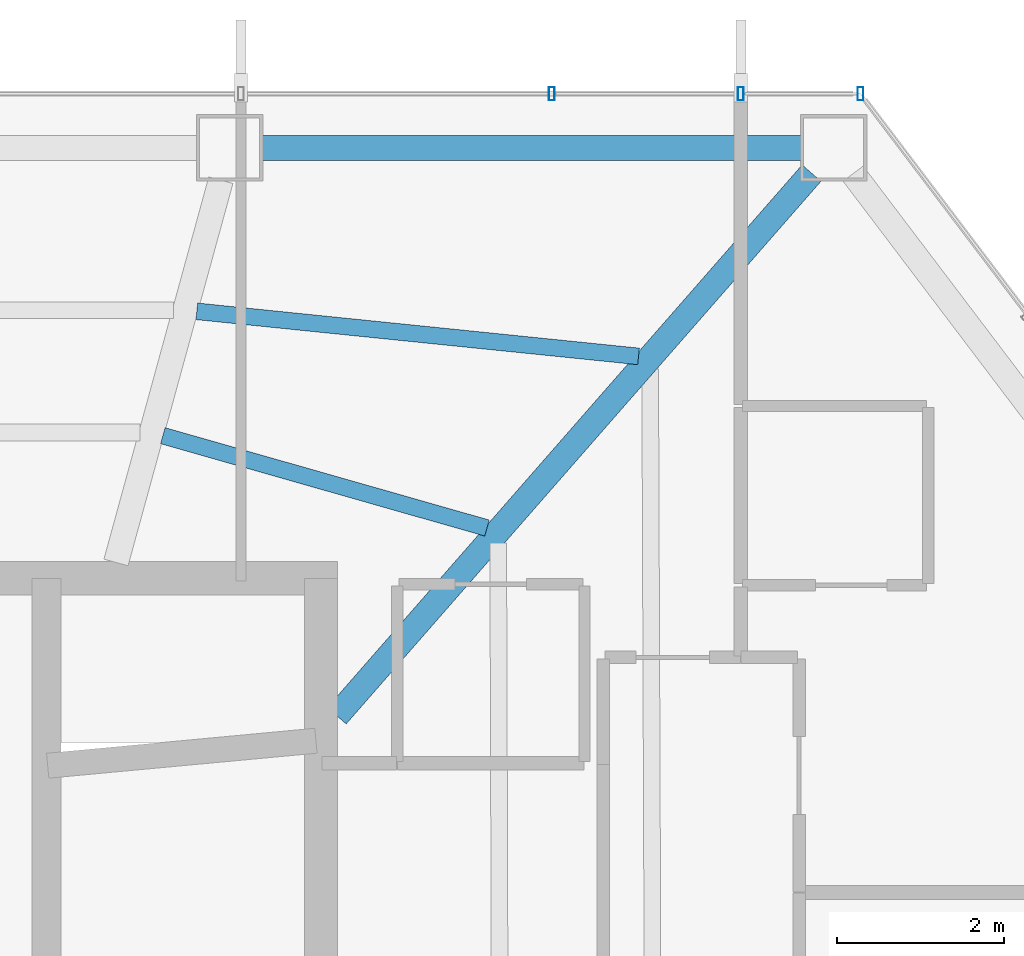
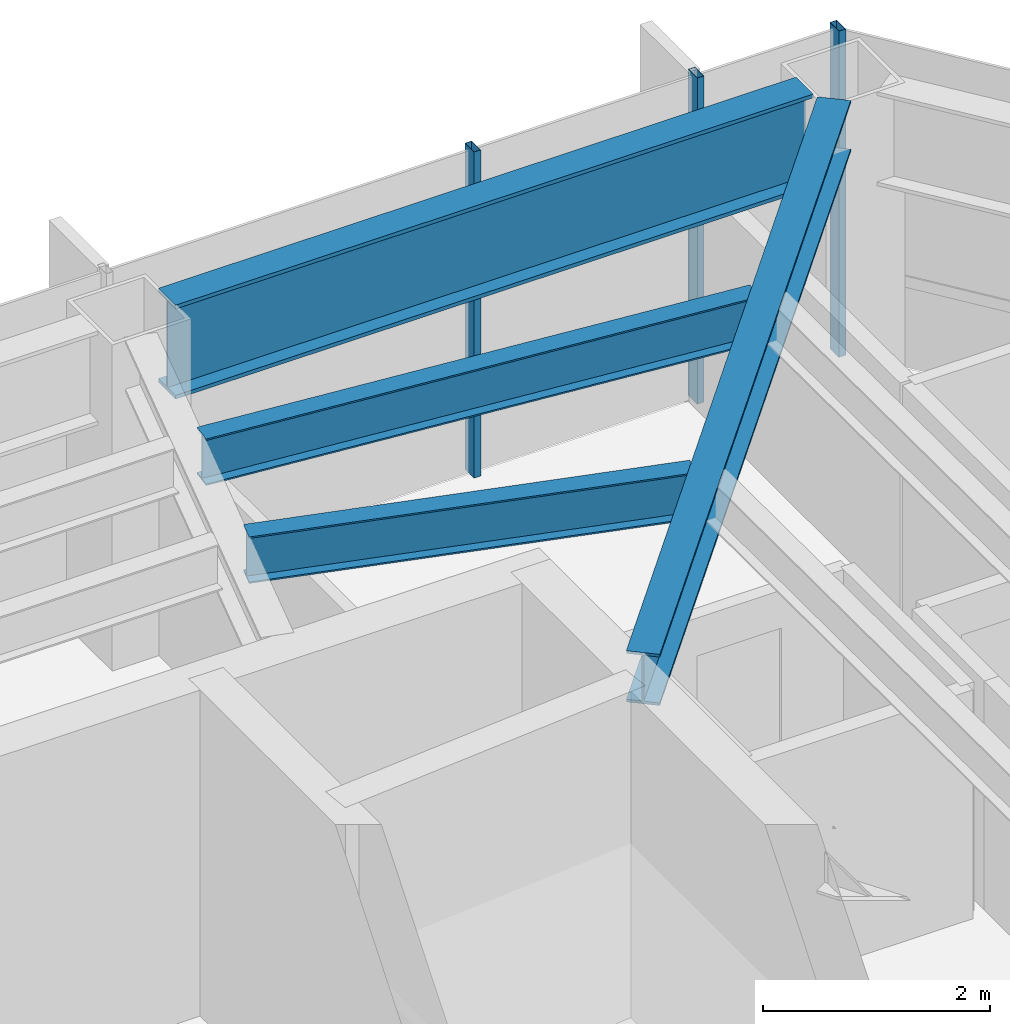
# One storey, part 22 of 28: 4 beams, 3 members, 1 element without a shape of its own.
"""IFC4 building model written with IfcOpenShell, lengths in metres."""

from ifc_helpers import new_model, si_unit, direction, frame, origin, origin_2d, place, context, subcontext, project, spatial, hollow_rectangle, i_section, extrude, material, layer, layer_set, material_profile, profile_set, type_object, element, aggregate, save


model = new_model("IFC4")

# Units and contexts
model_context = context("Model", 3, precision=1e-05, world=origin(), true_north=direction((0.0, 1.0)))
body_context = subcontext(model_context, "Body", "Model", "MODEL_VIEW")
ifc_project = project(units=[si_unit("LENGTHUNIT", "METRE"), si_unit("AREAUNIT", "SQUARE_METRE"), si_unit("VOLUMEUNIT", "CUBIC_METRE"), si_unit("PLANEANGLEUNIT", "RADIAN"), si_unit("MASSUNIT", "GRAM", prefix="KILO")], contexts=[model_context])

# Site, building, storey
site_placement = place(None, origin())
site = spatial("IfcSite", under=ifc_project, at=site_placement, CompositionType="ELEMENT")
building_placement = place(site_placement, origin())
building = spatial("IfcBuilding", under=site, at=building_placement, Name="Zarrinselat Tower", CompositionType="ELEMENT")
storey_placement = place(building_placement, frame((0.0, 0.0, 123.419921875)))
storey = spatial("IfcBuildingStorey", under=building, at=storey_placement, Name="L29", CompositionType="ELEMENT", Elevation=123.419921875)

# Beams
ifc_material_1 = material(Name="Steel S355J2", Category="steel")
ifc_material_profile_1 = material_profile(ifc_material_1, i_section(OverallWidth=0.300048828125, OverallDepth=0.550048828125, WebThickness=0.014892578125, FlangeThickness=0.029052734375, at=origin_2d()), Name="HEB 550")
ifc_profile_set_1 = profile_set([ifc_material_profile_1], Name="Steel S355J2")
beam_type_1 = type_object("IfcBeamType", Name="BM-HEB550", PredefinedType="BEAM", material=ifc_profile_set_1)
beam_1_placement = place(storey_placement, frame((48.449951171875, 41.800048828125, 3.22509765625), z_axis=(0.658508601527, 0.752573200237, 0.0), x_axis=(-0.752573200237, 0.658508601527, 0.0)))
element("IfcBeam", 1, at=beam_1_placement, inside=storey, type_object=beam_type_1, Name="L29 Radial Primary Girder RG01", PredefinedType="BEAM", context=body_context, shape_type="SweptSolid", body=[
    extrude(i_section(OverallWidth=0.300048828125, OverallDepth=0.550048828125, WebThickness=0.014892578125, FlangeThickness=0.029052734375, at=origin_2d()), origin(), (0.0, 0.0, 1.0), 8.65576171875),
])
ifc_material_2 = material(Name="Steel S460M", Category="steel")
ifc_material_profile_2 = material_profile(ifc_material_2, i_section(OverallWidth=0.302001953125, OverallDepth=1.008056640625, WebThickness=0.02099609375, FlangeThickness=0.0400390625, at=origin_2d()), Name="HEM 1000")
ifc_profile_set_2 = profile_set([ifc_material_profile_2], Name="Steel S460M")
beam_type_2 = type_object("IfcBeamType", Name="BM-HEM1000", PredefinedType="BEAM", material=ifc_profile_set_2)
beam_2_placement = place(storey_placement, frame((47.552978515625, 48.61669921875, 2.99609375), z_axis=(1.0, 0.0, 0.0), x_axis=(0.0, 1.0, 0.0)))
element("IfcBeam", 2, at=beam_2_placement, inside=storey, type_object=beam_type_2, Name="L29 Perimeter Spandrel Girder SP01", PredefinedType="BEAM", context=body_context, shape_type="SweptSolid", body=[
    extrude(i_section(OverallWidth=0.302001953125, OverallDepth=1.008056640625, WebThickness=0.02099609375, FlangeThickness=0.0400390625, at=origin_2d()), origin(), (0.0, 0.0, 1.0), 6.4736328125),
])
ifc_material_3 = material(Name="Steel S355J2", Category="steel")
ifc_material_profile_3 = material_profile(ifc_material_3, i_section(OverallWidth=0.199951171875, OverallDepth=0.5, WebThickness=0.01025390625, FlangeThickness=0.01611328125, at=origin_2d()), Name="IPE 500")
ifc_profile_set_3 = profile_set([ifc_material_profile_3], Name="Steel S355J2")
beam_type_3 = type_object("IfcBeamType", Name="BM-IPE500", PredefinedType="JOIST", material=ifc_profile_set_3)
beam_3_placement = place(storey_placement, frame((46.77001953125, 46.654541015625, 3.25), z_axis=(0.994835652817, -0.101498886125, 0.0), x_axis=(0.101498886125, 0.994835652817, 0.0)))
element("IfcBeam", 3, at=beam_3_placement, inside=storey, type_object=beam_type_3, Name="L29 Composite Floor Joist 6-1", PredefinedType="JOIST", context=body_context, shape_type="SweptSolid", body=[
    extrude(i_section(OverallWidth=0.199951171875, OverallDepth=0.5, WebThickness=0.01025390625, FlangeThickness=0.01611328125, at=origin_2d()), origin(), (0.0, 0.0, 1.0), 5.330322265625),
])
beam_4_placement = place(storey_placement, frame((46.362548828125, 45.161865234375, 3.25), z_axis=(0.961721812123, -0.274027655697, 0.0), x_axis=(0.274027655697, 0.961721812123, 0.0)))
element("IfcBeam", 4, at=beam_4_placement, inside=storey, type_object=beam_type_3, Name="L29 Composite Floor Joist 6-2", PredefinedType="JOIST", context=body_context, shape_type="SweptSolid", body=[
    extrude(i_section(OverallWidth=0.199951171875, OverallDepth=0.5, WebThickness=0.01025390625, FlangeThickness=0.01611328125, at=origin_2d()), origin(), (0.0, 0.0, 1.0), 4.045654296875),
])

# Curtain wall, members
ifc_material_4 = material(Name="Extruded Aluminium Alloy EN AW-6063 T6", Category="aluminium")
ifc_layer = layer(ifc_material_4, 0.175048828125)
ifc_layer_set = layer_set([ifc_layer], Name="Extruded Aluminium Alloy EN AW-6063 T6")
curtain_wall_type = type_object("IfcCurtainWallType", Name="CWS-HTL", PredefinedType="NOTDEFINED", material=ifc_layer_set)
curtain_wall_placement = place(storey_placement, origin())
curtain_wall = element("IfcCurtainWall", 5, at=curtain_wall_placement, inside=storey, type_object=curtain_wall_type, Name="L29 Unitised Curtain Wall CW-L29-E01", PredefinedType="NOTDEFINED")
ifc_material_5 = material(Name="Extruded Aluminium Alloy EN AW-6063 T6", Category="aluminium")
ifc_material_profile_4 = material_profile(ifc_material_5, hollow_rectangle(XDim=0.070068359375, YDim=0.159912109375, WallThickness=0.00390625, at=origin_2d()), Name="RHS 160x70x4")
ifc_profile_set_4 = profile_set([ifc_material_profile_4], Name="Extruded Aluminium Alloy EN AW-6063 T6")
member_type = type_object("IfcMemberType", Name="MEM-CW-MUL2", PredefinedType="MULLION", material=ifc_profile_set_4)
member_1_placement = place(storey_placement, frame((54.737548828125, 49.2666015625, 0.0), z_axis=(0.0, 0.0, 1.0), x_axis=(-1.0, 0.0, 0.0)))
member_1 = element("IfcMember", 6, at=member_1_placement, type_object=member_type, Name="CW-L29-E01 Mullion 0", PredefinedType="MULLION", context=body_context, shape_type="SweptSolid", body=[
    extrude(hollow_rectangle(XDim=0.070068359375, YDim=0.159912109375, WallThickness=0.00390625, at=origin_2d()), origin(), (0.0, 0.0, 1.0), 3.5),
])
member_2_placement = place(storey_placement, frame((53.300048828125, 49.2666015625, 0.0), z_axis=(0.0, 0.0, 1.0), x_axis=(-1.0, 0.0, 0.0)))
member_2 = element("IfcMember", 7, at=member_2_placement, type_object=member_type, Name="CW-L29-E01 Mullion 1", PredefinedType="MULLION", context=body_context, shape_type="SweptSolid", body=[
    extrude(hollow_rectangle(XDim=0.070068359375, YDim=0.159912109375, WallThickness=0.00390625, at=origin_2d()), origin(), (0.0, 0.0, 1.0), 3.5),
])
member_3_placement = place(storey_placement, frame((51.031982421875, 49.2666015625, 0.0), z_axis=(0.0, 0.0, 1.0), x_axis=(-1.0, 0.0, 0.0)))
member_3 = element("IfcMember", 8, at=member_3_placement, type_object=member_type, Name="CW-L29-E01 Mullion 2", PredefinedType="MULLION", context=body_context, shape_type="SweptSolid", body=[
    extrude(hollow_rectangle(XDim=0.070068359375, YDim=0.159912109375, WallThickness=0.00390625, at=origin_2d()), origin(), (0.0, 0.0, 1.0), 3.5),
])
aggregate(curtain_wall, [member_1, member_2, member_3])

save(model, "model.ifc")
